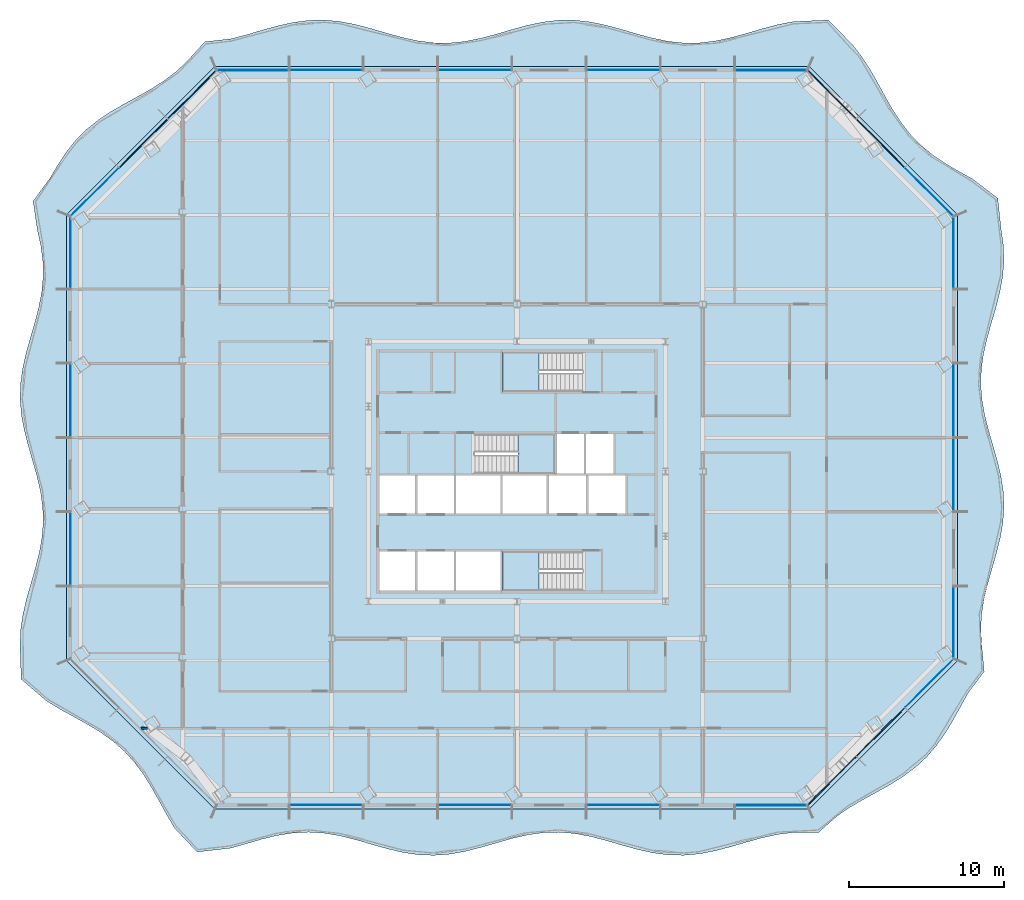
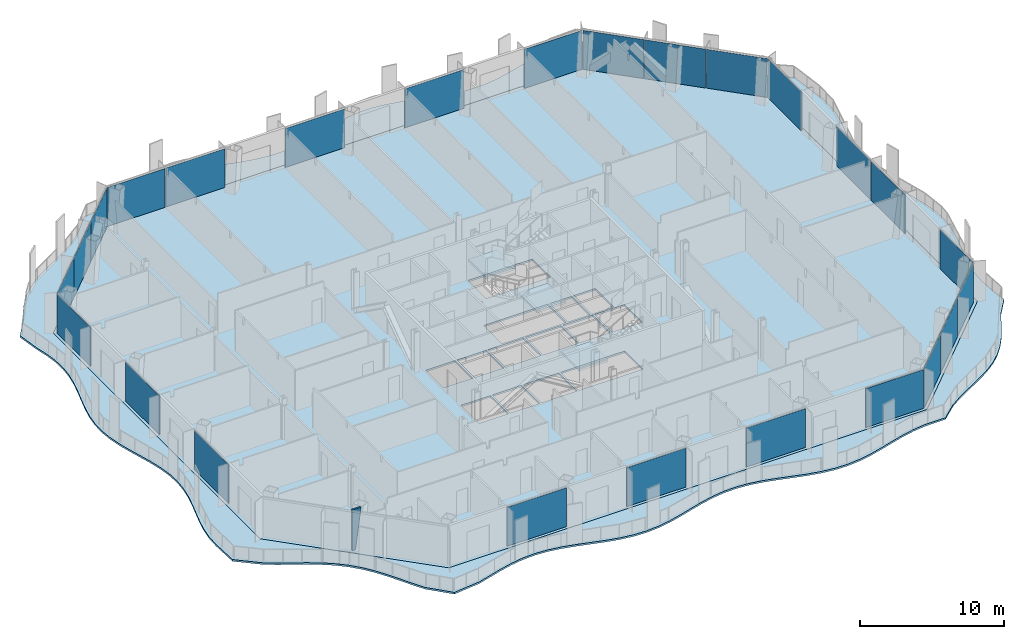
# One storey, part 6 of 22: 25 plates, 5 slabs, 1 wall, 10 elements without a shape of their own.
"""IFC4 building model written with IfcOpenShell, lengths in metres."""

from ifc_helpers import new_model, si_unit, direction, frame, origin, origin_2d, place, context, subcontext, project, spatial, polyline, rectangle, outline, extrude, material, layer, layer_set, type_object, element, aggregate, save


model = new_model("IFC4")

# Units and contexts
model_context = context("Model", 3, precision=1e-05, world=origin(), true_north=direction((0.0, 1.0)))
body_context = subcontext(model_context, "Body", "Model", "MODEL_VIEW")
ifc_project = project(units=[si_unit("LENGTHUNIT", "METRE"), si_unit("AREAUNIT", "SQUARE_METRE"), si_unit("VOLUMEUNIT", "CUBIC_METRE"), si_unit("PLANEANGLEUNIT", "RADIAN"), si_unit("MASSUNIT", "GRAM", prefix="KILO")], contexts=[model_context])

# Site, building, storey
site_placement = place(None, origin())
site = spatial("IfcSite", under=ifc_project, at=site_placement, CompositionType="ELEMENT")
building_placement = place(site_placement, origin())
building = spatial("IfcBuilding", under=site, at=building_placement, Name="Cairn Pilgrim Tower", CompositionType="ELEMENT")
storey_placement = place(building_placement, frame((0.0, 0.0, 112.199951171875)))
storey = spatial("IfcBuildingStorey", under=building, at=storey_placement, Name="L27", CompositionType="ELEMENT", Elevation=112.199951171875)

# Slabs
ifc_material_1 = material(Name="Concrete C35/45", Category="concrete")
ifc_layer_1 = layer(ifc_material_1, 0.14990234375)
ifc_layer_set_1 = layer_set([ifc_layer_1], Name="BALCONY SLAB 150 CONCRETE C35/45")
slab_type_1 = type_object("IfcSlabType", Name="BALCONY SLAB 150 CONCRETE C35/45", PredefinedType="FLOOR", material=ifc_layer_set_1)
slab_1_placement = place(storey_placement, frame((0.0, 0.0, -0.14990234375)))
element("IfcSlab", 1, at=slab_1_placement, inside=storey, type_object=slab_type_1, Name="Balcony slab BS-1", PredefinedType="FLOOR", context=body_context, shape_type="SweptSolid", body=[
    extrude(outline(polyline([(-14.931396484375, -20.653076171875), (-13.47216796875, -22.194091796875), (-11.31005859375, -21.94775390625), (-10.29931640625, -21.657470703125), (-9.288818359375, -21.3681640625), (-8.2783203125, -21.12451171875), (-7.267822265625, -20.965087890625), (-6.25732421875, -20.913818359375), (-5.246826171875, -20.979248046875), (-4.236328125, -21.151123046875), (-3.225830078125, -21.402587890625), (-2.21533203125, -21.694580078125), (-1.20458984375, -21.98193359375), (-0.194091796875, -22.2197265625), (0.81640625, -22.37109375), (1.826904296875, -22.412353515625), (2.83740234375, -22.33740234375), (3.847900390625, -22.15771484375), (4.8583984375, -21.9013671875), (5.868896484375, -21.60791015625), (6.87939453125, -21.3232421875), (7.89013671875, -21.09130859375), (8.900634765625, -20.948486328125), (9.9111328125, -20.916748046875), (10.921630859375, -21.001220703125), (11.93212890625, -21.1884765625), (12.942626953125, -21.44970703125), (13.953125, -21.744140625), (14.963623046875, -22.026123046875), (15.974365234375, -22.251708984375), (16.98486328125, -22.385986328125), (17.995361328125, -22.407958984375), (19.005859375, -22.314208984375), (20.016357421875, -22.119384765625), (21.02685546875, -21.853759765625), (22.037353515625, -21.55859375), (23.0478515625, -21.27978515625), (24.058349609375, -21.060546875), (25.069091796875, -20.93505859375), (26.70458984375, -20.9228515625), (27.90087890625, -19.863525390625), (28.72021484375, -19.311279296875), (29.58544921875, -18.805419921875), (30.471435546875, -18.31982421875), (31.348876953125, -17.825927734375), (32.1904296875, -17.296142578125), (32.97412109375, -16.708251953125), (33.685546875, -16.04833984375), (34.321044921875, -15.3125), (34.887939453125, -14.5078125), (35.4033203125, -13.65185546875), (35.891357421875, -12.768310546875), (36.380615234375, -11.88623046875), (37.404052734375, -10.528076171875), (37.239990234375, -8.820556640625), (37.1796875, -7.827392578125), (37.231689453125, -6.834228515625), (37.388671875, -5.84130859375), (37.626708984375, -4.84814453125), (37.910400390625, -3.85498046875), (38.19677734375, -2.86181640625), (38.443115234375, -1.868896484375), (38.6123046875, -0.875732421875), (38.678955078125, 0.117431640625), (38.633056640625, 1.110595703125), (38.4814453125, 2.103515625), (38.2470703125, 3.0966796875), (37.96484375, 4.08984375), (37.677490234375, 5.0830078125), (37.427734375, 6.075927734375), (37.25341796875, 7.069091796875), (37.1806640625, 8.062255859375), (37.220458984375, 9.055419921875), (37.36669921875, 10.04833984375), (37.597412109375, 11.04150390625), (37.8779296875, 12.03466796875), (38.166259765625, 13.02783203125), (38.4189453125, 14.020751953125), (38.598388671875, 15.013916015625), (38.67724609375, 16.007080078125), (38.643798828125, 17.000244140625), (38.5029296875, 17.9931640625), (38.276123046875, 20.06201171875), (36.637451171875, 21.31591796875), (35.751953125, 21.801513671875), (34.887451171875, 22.30859375), (34.069580078125, 22.862060546875), (33.3173828125, 23.481201171875), (32.640380859375, 24.17578125), (32.037109375, 24.944091796875), (31.49609375, 25.7744140625), (30.99658203125, 26.646240234375), (30.511474609375, 27.53271484375), (30.012451171875, 28.405029296875), (29.47265625, 29.236572265625), (28.87109375, 30.00634765625), (27.319091796875, 31.5791015625), (25.069091796875, 31.4814453125), (24.058349609375, 31.283447265625), (23.0478515625, 31.015869140625), (22.037353515625, 30.720458984375), (21.02685546875, 30.443115234375), (20.016357421875, 30.226806640625), (19.005859375, 30.105224609375), (17.995361328125, 30.097412109375), (16.98486328125, 30.204345703125), (15.974365234375, 30.409423828125), (14.963623046875, 30.680908203125), (13.953125, 30.9765625), (12.942626953125, 31.25048828125), (11.93212890625, 31.4599609375), (10.921630859375, 31.572509765625), (9.9111328125, 31.570556640625), (8.900634765625, 31.45458984375), (7.89013671875, 31.24267578125), (6.87939453125, 30.96728515625), (5.868896484375, 30.671630859375), (4.8583984375, 30.401611328125), (3.847900390625, 30.19921875), (2.83740234375, 30.095703125), (1.826904296875, 30.107421875), (0.81640625, 30.232421875), (-0.194091796875, 30.451171875), (-1.20458984375, 30.729736328125), (-2.21533203125, 31.025146484375), (-3.225830078125, 31.291015625), (-4.236328125, 31.486083984375), (-5.246826171875, 31.580322265625), (-6.25732421875, 31.55908203125), (-7.267822265625, 31.42529296875), (-8.2783203125, 31.199951171875), (-9.288818359375, 30.918212890625), (-10.29931640625, 30.623779296875), (-11.31005859375, 30.3623046875), (-12.978271484375, 30.174560546875), (-14.070068359375, 28.96435546875), (-14.77197265625, 28.295166015625), (-15.54736328125, 27.698974609375), (-16.3828125, 27.1630859375), (-17.25732421875, 26.666015625), (-18.143798828125, 26.18115234375), (-19.01318359375, 25.678955078125), (-19.83935546875, 25.1337890625), (-20.602294921875, 24.525146484375), (-21.290771484375, 23.84228515625), (-21.904296875, 23.08447265625), (-22.453369140625, 22.26220703125), (-22.957763671875, 21.39501953125), (-24.07373046875, 19.878173828125), (-23.79833984375, 17.9931640625), (-23.57861328125, 17.000244140625), (-23.447998046875, 16.007080078125), (-23.42578125, 15.013916015625), (-23.515380859375, 14.020751953125), (-23.703369140625, 13.02783203125), (-23.961669921875, 12.03466796875), (-24.2509765625, 11.04150390625), (-24.528564453125, 10.04833984375), (-24.752197265625, 9.055419921875), (-24.888427734375, 8.062255859375), (-24.9169921875, 7.069091796875), (-24.833251953125, 6.075927734375), (-24.650146484375, 5.0830078125), (-24.39501953125, 4.08984375), (-24.10595703125, 3.0966796875), (-23.826904296875, 2.103515625), (-23.59912109375, 1.110595703125), (-23.457275390625, 0.117431640625), (-23.422607421875, -0.875732421875), (-23.500244140625, -1.868896484375), (-23.678466796875, -2.86181640625), (-23.9306640625, -3.85498046875), (-24.21875, -4.84814453125), (-24.49951171875, -5.84130859375), (-24.731201171875, -6.834228515625), (-24.87841796875, -7.827392578125), (-24.91943359375, -8.820556640625), (-24.847900390625, -11.0263671875), (-23.185791015625, -12.450439453125), (-22.32958984375, -12.9658203125), (-21.4462890625, -13.453857421875), (-20.56396484375, -13.94287109375), (-19.711181640625, -14.46142578125), (-18.911376953125, -15.033203125), (-18.181396484375, -15.674560546875), (-17.52734375, -16.391845703125), (-16.944580078125, -17.1806640625), (-16.41845703125, -18.026123046875), (-15.92626953125, -18.9052734375), (-15.440185546875, -19.79052734375), (-14.931396484375, -20.653076171875)]), holes=[polyline([(26.07958984375, -19.41357421875), (-12.320556640625, -19.41357421875), (-21.92041015625, -9.813720703125), (-21.92041015625, 18.986328125), (-12.320556640625, 28.58642578125), (26.07958984375, 28.58642578125), (35.679443359375, 18.986328125), (35.679443359375, -9.813720703125), (26.07958984375, -19.41357421875)])]), origin(), (0.0, 0.0, 1.0), 0.14990234375),
])
ifc_layer_2 = layer(ifc_material_1, 0.14990234375)
ifc_layer_set_2 = layer_set([ifc_layer_2], Name="COMPOSITE FLOOR SLAB 150")
slab_type_2 = type_object("IfcSlabType", Name="COMPOSITE FLOOR SLAB 150", PredefinedType="FLOOR", material=ifc_layer_set_2)
slab_2_placement = place(storey_placement, frame((0.0, 0.0, -0.14990234375)))
element("IfcSlab", 2, at=slab_2_placement, inside=storey, type_object=slab_type_2, Name="FLOOR SLAB L27", PredefinedType="FLOOR", context=body_context, shape_type="SweptSolid", body=[
    extrude(outline(polyline([(-12.320556640625, -19.41357421875), (26.07958984375, -19.41357421875), (35.679443359375, -9.813720703125), (35.679443359375, 18.986328125), (26.07958984375, 28.58642578125), (-12.320556640625, 28.58642578125), (-21.92041015625, 18.986328125), (-21.92041015625, -9.813720703125), (-12.320556640625, -19.41357421875)]), holes=[polyline([(-1.72509765625, -5.300048828125), (0.625, -5.300048828125), (0.625, -2.77490234375), (-1.72509765625, -2.77490234375), (-1.72509765625, -5.300048828125)]), polyline([(0.77490234375, -5.300048828125), (3.125, -5.300048828125), (3.125, -2.77490234375), (0.77490234375, -2.77490234375), (0.77490234375, -5.300048828125)]), polyline([(-1.72509765625, -0.324951171875), (0.625, -0.324951171875), (0.625, 2.125), (-1.72509765625, 2.125), (-1.72509765625, -0.324951171875)]), polyline([(0.77490234375, -0.324951171875), (3.125, -0.324951171875), (3.125, 2.125), (0.77490234375, 2.125), (0.77490234375, -0.324951171875)]), polyline([(3.27490234375, -5.300048828125), (6.125, -5.300048828125), (6.125, -2.77490234375), (3.27490234375, -2.77490234375), (3.27490234375, -5.300048828125)]), polyline([(3.27490234375, -0.324951171875), (6.125, -0.324951171875), (6.125, 2.125), (3.27490234375, 2.125), (3.27490234375, -0.324951171875)]), polyline([(6.27490234375, -0.324951171875), (9.125, -0.324951171875), (9.125, 2.125), (6.27490234375, 2.125), (6.27490234375, -0.324951171875)]), polyline([(9.27490234375, -0.324951171875), (11.675048828125, -0.324951171875), (11.675048828125, 2.125), (9.27490234375, 2.125), (9.27490234375, -0.324951171875)]), polyline([(11.824951171875, -0.324951171875), (14.22509765625, -0.324951171875), (14.22509765625, 2.125), (11.824951171875, 2.125), (11.824951171875, -0.324951171875)]), polyline([(9.77490234375, 2.27490234375), (11.52490234375, 2.27490234375), (11.52490234375, 4.824951171875), (9.77490234375, 4.824951171875), (9.77490234375, 2.27490234375)]), polyline([(11.675048828125, 2.27490234375), (13.425048828125, 2.27490234375), (13.425048828125, 4.824951171875), (11.675048828125, 4.824951171875), (11.675048828125, 2.27490234375)]), polyline([(11.424560546875, -2.77490234375), (6.27490234375, -2.77490234375), (6.27490234375, -5.300048828125), (11.424560546875, -5.300048828125), (11.424560546875, -2.77490234375)]), polyline([(4.4755859375, 2.27490234375), (9.625, 2.27490234375), (9.625, 4.824951171875), (4.4755859375, 4.824951171875), (4.4755859375, 2.27490234375)]), polyline([(11.424560546875, 10.10009765625), (6.27490234375, 10.10009765625), (6.27490234375, 7.574951171875), (11.424560546875, 7.574951171875), (11.424560546875, 10.10009765625)])]), origin(), (0.0, 0.0, 1.0), 0.14990234375),
])

# Curtain wall, plate
ifc_material_2 = material(Name="Aluminium alloy 6063-T6 bronze anodised with Bronze tinted laminated low-E glass 8+16+8.8", Category="aluminium")
curtain_wall_type_1 = type_object("IfcCurtainWallType", Name="CHAMFER CORNER CURTAIN WALL", PredefinedType="NOTDEFINED", material=ifc_material_2)
curtain_wall_1_placement = place(storey_placement, origin())
curtain_wall_1 = element("IfcCurtainWall", 3, at=curtain_wall_1_placement, inside=storey, type_object=curtain_wall_type_1, Name="Chamfer Corner Curtain Wall SE", PredefinedType="NOTDEFINED")
ifc_material_3 = material(Name="Bronze anodised aluminium spandrel panel with mineral wool insulation", Category="aluminium")
ifc_layer_3 = layer(ifc_material_3, 0.06005859375)
ifc_layer_set_3 = layer_set([ifc_layer_3], Name="SPANDREL PANEL 4386x3300")
plate_type_1 = type_object("IfcPlateType", Name="SPANDREL PANEL 4386x3300", PredefinedType="CURTAIN_PANEL", material=ifc_layer_set_3)
plate_1_placement = place(storey_placement, frame((27.55517578125, -17.58447265625, 0.0), z_axis=(0.0, 0.0, 1.0), x_axis=(0.707106781187, 0.707106781187, 0.0)))
plate_1 = element("IfcPlate", 4, at=plate_1_placement, type_object=plate_type_1, Name="Spandrel Panel SE1-1", PredefinedType="CURTAIN_PANEL", context=body_context, shape_type="SweptSolid", body=[
    extrude(rectangle(XDim=4.386474609375, YDim=0.06005859375, at=origin_2d()), origin(), (0.0, 0.0, 1.0), 3.300048828125),
])

curtain_wall_2_placement = place(storey_placement, origin())
curtain_wall_2 = element("IfcCurtainWall", 5, at=curtain_wall_2_placement, inside=storey, type_object=curtain_wall_type_1, Name="Chamfer Corner Curtain Wall NE", PredefinedType="NOTDEFINED")
plate_2_placement = place(storey_placement, frame((27.55517578125, 26.75732421875, 0.0), z_axis=(0.0, 0.0, 1.0), x_axis=(-0.707106781187, 0.707106781187, 0.0)))
plate_2 = element("IfcPlate", 6, at=plate_2_placement, type_object=plate_type_1, Name="Spandrel Panel NE3-1", PredefinedType="CURTAIN_PANEL", context=body_context, shape_type="SweptSolid", body=[
    extrude(rectangle(XDim=4.386474609375, YDim=0.06005859375, at=origin_2d()), origin(), (0.0, 0.0, 1.0), 3.300048828125),
])

curtain_wall_3_placement = place(storey_placement, origin())
curtain_wall_3 = element("IfcCurtainWall", 7, at=curtain_wall_3_placement, inside=storey, type_object=curtain_wall_type_1, Name="Chamfer Corner Curtain Wall NW", PredefinedType="NOTDEFINED")
plate_3_placement = place(storey_placement, frame((-13.796142578125, 26.75732421875, 0.0), z_axis=(0.0, 0.0, 1.0), x_axis=(-0.707106781187, -0.707106781187, 0.0)))
plate_3 = element("IfcPlate", 8, at=plate_3_placement, type_object=plate_type_1, Name="Spandrel Panel NW1-1", PredefinedType="CURTAIN_PANEL", context=body_context, shape_type="SweptSolid", body=[
    extrude(rectangle(XDim=4.386474609375, YDim=0.06005859375, at=origin_2d()), origin(), (0.0, 0.0, 1.0), 3.300048828125),
])

# Plate
ifc_layer_4 = layer(ifc_material_3, 0.06005859375)
ifc_layer_set_4 = layer_set([ifc_layer_4], Name="SPANDREL PANEL 4396x3300")
plate_type_2 = type_object("IfcPlateType", Name="SPANDREL PANEL 4396x3300", PredefinedType="CURTAIN_PANEL", material=ifc_layer_set_4)
plate_4_placement = place(storey_placement, frame((30.70263671875, -14.436767578125, 0.0), z_axis=(0.0, 0.0, 1.0), x_axis=(0.707106781187, 0.707106781187, 0.0)))
plate_4 = element("IfcPlate", 9, at=plate_4_placement, type_object=plate_type_2, Name="Spandrel Panel SE2-1", PredefinedType="CURTAIN_PANEL", context=body_context, shape_type="SweptSolid", body=[
    extrude(rectangle(XDim=4.396484375, YDim=0.06005859375, at=origin_2d()), origin(), (0.0, 0.0, 1.0), 3.300048828125),
])

plate_5_placement = place(storey_placement, frame((30.70263671875, 23.609619140625, 0.0), z_axis=(0.0, 0.0, 1.0), x_axis=(-0.707106781187, 0.707106781187, 0.0)))
plate_5 = element("IfcPlate", 10, at=plate_5_placement, type_object=plate_type_2, Name="Spandrel Panel NE2-1", PredefinedType="CURTAIN_PANEL", context=body_context, shape_type="SweptSolid", body=[
    extrude(rectangle(XDim=4.396484375, YDim=0.06005859375, at=origin_2d()), origin(), (0.0, 0.0, 1.0), 3.300048828125),
])

plate_6_placement = place(storey_placement, frame((-16.943603515625, 23.609619140625, 0.0), z_axis=(0.0, 0.0, 1.0), x_axis=(-0.707106781187, -0.707106781187, 0.0)))
plate_6 = element("IfcPlate", 11, at=plate_6_placement, type_object=plate_type_2, Name="Spandrel Panel NW2-1", PredefinedType="CURTAIN_PANEL", context=body_context, shape_type="SweptSolid", body=[
    extrude(rectangle(XDim=4.396484375, YDim=0.06005859375, at=origin_2d()), origin(), (0.0, 0.0, 1.0), 3.300048828125),
])

# Curtain wall, plate
curtain_wall_type_2 = type_object("IfcCurtainWallType", Name="TOWER STICK CURTAIN WALL NS", PredefinedType="NOTDEFINED", material=ifc_material_2)
curtain_wall_4_placement = place(storey_placement, origin())
curtain_wall_4 = element("IfcCurtainWall", 12, at=curtain_wall_4_placement, inside=storey, type_object=curtain_wall_type_2, Name="Tower Stick Curtain Wall Ns S", PredefinedType="NOTDEFINED")
ifc_layer_5 = layer(ifc_material_3, 0.06005859375)
ifc_layer_set_5 = layer_set([ifc_layer_5], Name="SPANDREL PANEL 4626x3300")
plate_type_3 = type_object("IfcPlateType", Name="SPANDREL PANEL 4626x3300", PredefinedType="CURTAIN_PANEL", material=ifc_layer_set_5)
plate_7_placement = place(storey_placement, frame((23.622802734375, -19.16357421875, 0.0), z_axis=(0.0, 0.0, 1.0), x_axis=(1.0, 0.0, 0.0)))
plate_7 = element("IfcPlate", 13, at=plate_7_placement, type_object=plate_type_3, Name="Spandrel Panel S8-1", PredefinedType="CURTAIN_PANEL", context=body_context, shape_type="SweptSolid", body=[
    extrude(rectangle(XDim=4.62646484375, YDim=0.06005859375, at=origin_2d()), origin(), (0.0, 0.0, 1.0), 3.300048828125),
])

# Curtain wall, plates
curtain_wall_5_placement = place(storey_placement, origin())
curtain_wall_5 = element("IfcCurtainWall", 14, at=curtain_wall_5_placement, inside=storey, type_object=curtain_wall_type_2, Name="Tower Stick Curtain Wall Ns N", PredefinedType="NOTDEFINED")
plate_8_placement = place(storey_placement, frame((23.622802734375, 28.33642578125, 0.0), z_axis=(0.0, 0.0, 1.0), x_axis=(-1.0, 0.0, 0.0)))
plate_8 = element("IfcPlate", 15, at=plate_8_placement, type_object=plate_type_3, Name="Spandrel Panel N1-1", PredefinedType="CURTAIN_PANEL", context=body_context, shape_type="SweptSolid", body=[
    extrude(rectangle(XDim=4.62646484375, YDim=0.06005859375, at=origin_2d()), origin(), (0.0, 0.0, 1.0), 3.300048828125),
])
plate_9_placement = place(storey_placement, frame((-9.86376953125, 28.33642578125, 0.0), z_axis=(0.0, 0.0, 1.0), x_axis=(-1.0, 0.0, 0.0)))
plate_9 = element("IfcPlate", 16, at=plate_9_placement, type_object=plate_type_3, Name="Spandrel Panel N8-1", PredefinedType="CURTAIN_PANEL", context=body_context, shape_type="SweptSolid", body=[
    extrude(rectangle(XDim=4.62646484375, YDim=0.06005859375, at=origin_2d()), origin(), (0.0, 0.0, 1.0), 3.300048828125),
])

# Stair, slab
ifc_material_4 = material(Name="Concrete C32/40", Category="concrete")
stair_type = type_object("IfcStairType", Name="EXIT STAIR 1200", PredefinedType="HALF_TURN_STAIR", material=ifc_material_4)
stair_1_placement = place(storey_placement, origin())
stair_1 = element("IfcStair", 17, at=stair_1_placement, inside=storey, type_object=stair_type, Name="L27 Exit Stair A", PredefinedType="HALF_TURN_STAIR")
ifc_layer_6 = layer(ifc_material_4, 0.199951171875)
ifc_layer_set_6 = layer_set([ifc_layer_6], Name="STAIR LANDING 200")
slab_type_3 = type_object("IfcSlabType", Name="STAIR LANDING 200", PredefinedType="LANDING", material=ifc_layer_set_6)
slab_3_placement = place(storey_placement, frame((0.0, 0.0, 1.60009765625)))
slab_3 = element("IfcSlab", 18, at=slab_3_placement, type_object=slab_type_3, Name="ST-A landing 1", PredefinedType="LANDING", context=body_context, shape_type="SweptSolid", body=[
    extrude(outline(polyline([(8.625, -2.77490234375), (6.27490234375, -2.77490234375), (6.27490234375, -5.300048828125), (8.625, -5.300048828125), (8.625, -2.77490234375)])), origin(), (0.0, 0.0, 1.0), 0.199951171875),
])
aggregate(stair_1, [slab_3])

stair_2_placement = place(storey_placement, origin())
stair_2 = element("IfcStair", 19, at=stair_2_placement, inside=storey, type_object=stair_type, Name="L27 Exit Stair B", PredefinedType="HALF_TURN_STAIR")
slab_4_placement = place(storey_placement, frame((0.0, 0.0, 1.60009765625)))
slab_4 = element("IfcSlab", 20, at=slab_4_placement, type_object=slab_type_3, Name="ST-B landing 1", PredefinedType="LANDING", context=body_context, shape_type="SweptSolid", body=[
    extrude(outline(polyline([(7.27490234375, 2.27490234375), (9.625, 2.27490234375), (9.625, 4.824951171875), (7.27490234375, 4.824951171875), (7.27490234375, 2.27490234375)])), origin(), (0.0, 0.0, 1.0), 0.199951171875),
])
aggregate(stair_2, [slab_4])

stair_3_placement = place(storey_placement, origin())
stair_3 = element("IfcStair", 21, at=stair_3_placement, inside=storey, type_object=stair_type, Name="L27 Exit Stair C", PredefinedType="HALF_TURN_STAIR")
slab_5_placement = place(storey_placement, frame((0.0, 0.0, 1.60009765625)))
slab_5 = element("IfcSlab", 22, at=slab_5_placement, type_object=slab_type_3, Name="ST-C landing 1", PredefinedType="LANDING", context=body_context, shape_type="SweptSolid", body=[
    extrude(outline(polyline([(8.625, 10.10009765625), (6.27490234375, 10.10009765625), (6.27490234375, 7.574951171875), (8.625, 7.574951171875), (8.625, 10.10009765625)])), origin(), (0.0, 0.0, 1.0), 0.199951171875),
])
aggregate(stair_3, [slab_5])

# Plate
ifc_material_5 = material(Name="Bronze tinted laminated low-E glass 8+16+8.8", Category="glass")
ifc_layer_7 = layer(ifc_material_5, 0.033935546875)
ifc_layer_set_7 = layer_set([ifc_layer_7], Name="VISION GLAZING 4386x3300")
plate_type_4 = type_object("IfcPlateType", Name="VISION GLAZING 4386x3300", PredefinedType="CURTAIN_PANEL", material=ifc_layer_set_7)
plate_10_placement = place(storey_placement, frame((33.850341796875, -11.289306640625, 0.0), z_axis=(0.0, 0.0, 1.0), x_axis=(0.707106781187, 0.707106781187, 0.0)))
plate_10 = element("IfcPlate", 23, at=plate_10_placement, type_object=plate_type_4, Name="Vision Glazing SE3-1", PredefinedType="CURTAIN_PANEL", context=body_context, shape_type="SweptSolid", body=[
    extrude(rectangle(XDim=4.386474609375, YDim=0.033935546875, at=origin_2d()), origin(), (0.0, 0.0, 1.0), 3.300048828125),
])

aggregate(curtain_wall_1, [plate_1, plate_4, plate_10])

plate_11_placement = place(storey_placement, frame((33.850341796875, 20.4619140625, 0.0), z_axis=(0.0, 0.0, 1.0), x_axis=(-0.707106781187, 0.707106781187, 0.0)))
plate_11 = element("IfcPlate", 24, at=plate_11_placement, type_object=plate_type_4, Name="Vision Glazing NE1-1", PredefinedType="CURTAIN_PANEL", context=body_context, shape_type="SweptSolid", body=[
    extrude(rectangle(XDim=4.386474609375, YDim=0.033935546875, at=origin_2d()), origin(), (0.0, 0.0, 1.0), 3.300048828125),
])

aggregate(curtain_wall_2, [plate_11, plate_5, plate_2])

plate_12_placement = place(storey_placement, frame((-20.09130859375, 20.4619140625, 0.0), z_axis=(0.0, 0.0, 1.0), x_axis=(-0.707106781187, -0.707106781187, 0.0)))
plate_12 = element("IfcPlate", 25, at=plate_12_placement, type_object=plate_type_4, Name="Vision Glazing NW3-1", PredefinedType="CURTAIN_PANEL", context=body_context, shape_type="SweptSolid", body=[
    extrude(rectangle(XDim=4.386474609375, YDim=0.033935546875, at=origin_2d()), origin(), (0.0, 0.0, 1.0), 3.300048828125),
])

aggregate(curtain_wall_3, [plate_3, plate_6, plate_12])

# Curtain wall, plates
curtain_wall_type_3 = type_object("IfcCurtainWallType", Name="TOWER STICK CURTAIN WALL EW", PredefinedType="NOTDEFINED", material=ifc_material_2)
curtain_wall_6_placement = place(storey_placement, origin())
curtain_wall_6 = element("IfcCurtainWall", 26, at=curtain_wall_6_placement, inside=storey, type_object=curtain_wall_type_3, Name="Tower Stick Curtain Wall Ew E", PredefinedType="NOTDEFINED")
ifc_layer_8 = layer(ifc_material_5, 0.033935546875)
ifc_layer_set_8 = layer_set([ifc_layer_8], Name="VISION GLAZING 4626x3300")
plate_type_5 = type_object("IfcPlateType", Name="VISION GLAZING 4626x3300", PredefinedType="CURTAIN_PANEL", material=ifc_layer_set_8)
plate_13_placement = place(storey_placement, frame((35.429443359375, -7.35693359375, 0.0), z_axis=(0.0, 0.0, 1.0), x_axis=(0.0, 1.0, 0.0)))
plate_13 = element("IfcPlate", 27, at=plate_13_placement, type_object=plate_type_5, Name="Vision Glazing E1-1", PredefinedType="CURTAIN_PANEL", context=body_context, shape_type="SweptSolid", body=[
    extrude(rectangle(XDim=4.62646484375, YDim=0.033935546875, at=origin_2d()), origin(), (0.0, 0.0, 1.0), 3.300048828125),
])
plate_14_placement = place(storey_placement, frame((35.429443359375, 16.529541015625, 0.0), z_axis=(0.0, 0.0, 1.0), x_axis=(0.0, 1.0, 0.0)))
plate_14 = element("IfcPlate", 28, at=plate_14_placement, type_object=plate_type_5, Name="Vision Glazing E6-1", PredefinedType="CURTAIN_PANEL", context=body_context, shape_type="SweptSolid", body=[
    extrude(rectangle(XDim=4.62646484375, YDim=0.033935546875, at=origin_2d()), origin(), (0.0, 0.0, 1.0), 3.300048828125),
])

# Curtain wall, plate
curtain_wall_7_placement = place(storey_placement, origin())
curtain_wall_7 = element("IfcCurtainWall", 29, at=curtain_wall_7_placement, inside=storey, type_object=curtain_wall_type_3, Name="Tower Stick Curtain Wall Ew W", PredefinedType="NOTDEFINED")
plate_15_placement = place(storey_placement, frame((-21.67041015625, 16.529541015625, 0.0), z_axis=(0.0, 0.0, 1.0), x_axis=(0.0, -1.0, 0.0)))
plate_15 = element("IfcPlate", 30, at=plate_15_placement, type_object=plate_type_5, Name="Vision Glazing W1-1", PredefinedType="CURTAIN_PANEL", context=body_context, shape_type="SweptSolid", body=[
    extrude(rectangle(XDim=4.62646484375, YDim=0.033935546875, at=origin_2d()), origin(), (0.0, 0.0, 1.0), 3.300048828125),
])

# Plate
ifc_layer_9 = layer(ifc_material_5, 0.033935546875)
ifc_layer_set_9 = layer_set([ifc_layer_9], Name="VISION GLAZING 4740x3300")
plate_type_6 = type_object("IfcPlateType", Name="VISION GLAZING 4740x3300", PredefinedType="CURTAIN_PANEL", material=ifc_layer_set_9)
plate_16_placement = place(storey_placement, frame((-5.12060546875, -19.16357421875, 0.0), z_axis=(0.0, 0.0, 1.0), x_axis=(1.0, 0.0, 0.0)))
plate_16 = element("IfcPlate", 31, at=plate_16_placement, type_object=plate_type_6, Name="Vision Glazing S2-1", PredefinedType="CURTAIN_PANEL", context=body_context, shape_type="SweptSolid", body=[
    extrude(rectangle(XDim=4.739990234375, YDim=0.033935546875, at=origin_2d()), origin(), (0.0, 0.0, 1.0), 3.300048828125),
])

plate_17_placement = place(storey_placement, frame((4.4794921875, -19.16357421875, 0.0), z_axis=(0.0, 0.0, 1.0), x_axis=(1.0, 0.0, 0.0)))
plate_17 = element("IfcPlate", 32, at=plate_17_placement, type_object=plate_type_6, Name="Vision Glazing S4-1", PredefinedType="CURTAIN_PANEL", context=body_context, shape_type="SweptSolid", body=[
    extrude(rectangle(XDim=4.739990234375, YDim=0.033935546875, at=origin_2d()), origin(), (0.0, 0.0, 1.0), 3.300048828125),
])

plate_18_placement = place(storey_placement, frame((14.07958984375, -19.16357421875, 0.0), z_axis=(0.0, 0.0, 1.0), x_axis=(1.0, 0.0, 0.0)))
plate_18 = element("IfcPlate", 33, at=plate_18_placement, type_object=plate_type_6, Name="Vision Glazing S6-1", PredefinedType="CURTAIN_PANEL", context=body_context, shape_type="SweptSolid", body=[
    extrude(rectangle(XDim=4.739990234375, YDim=0.033935546875, at=origin_2d()), origin(), (0.0, 0.0, 1.0), 3.300048828125),
])

aggregate(curtain_wall_4, [plate_16, plate_17, plate_18, plate_7])

plate_19_placement = place(storey_placement, frame((35.429443359375, 2.186279296875, 0.0), z_axis=(0.0, 0.0, 1.0), x_axis=(0.0, 1.0, 0.0)))
plate_19 = element("IfcPlate", 34, at=plate_19_placement, type_object=plate_type_6, Name="Vision Glazing E3-1", PredefinedType="CURTAIN_PANEL", context=body_context, shape_type="SweptSolid", body=[
    extrude(rectangle(XDim=4.739990234375, YDim=0.033935546875, at=origin_2d()), origin(), (0.0, 0.0, 1.0), 3.300048828125),
])

plate_20_placement = place(storey_placement, frame((35.429443359375, 6.986328125, 0.0), z_axis=(0.0, 0.0, 1.0), x_axis=(0.0, 1.0, 0.0)))
plate_20 = element("IfcPlate", 35, at=plate_20_placement, type_object=plate_type_6, Name="Vision Glazing E4-1", PredefinedType="CURTAIN_PANEL", context=body_context, shape_type="SweptSolid", body=[
    extrude(rectangle(XDim=4.739990234375, YDim=0.033935546875, at=origin_2d()), origin(), (0.0, 0.0, 1.0), 3.300048828125),
])

aggregate(curtain_wall_6, [plate_13, plate_19, plate_20, plate_14])

plate_21_placement = place(storey_placement, frame((14.07958984375, 28.33642578125, 0.0), z_axis=(0.0, 0.0, 1.0), x_axis=(-1.0, 0.0, 0.0)))
plate_21 = element("IfcPlate", 36, at=plate_21_placement, type_object=plate_type_6, Name="Vision Glazing N3-1", PredefinedType="CURTAIN_PANEL", context=body_context, shape_type="SweptSolid", body=[
    extrude(rectangle(XDim=4.739990234375, YDim=0.033935546875, at=origin_2d()), origin(), (0.0, 0.0, 1.0), 3.300048828125),
])

plate_22_placement = place(storey_placement, frame((4.4794921875, 28.33642578125, 0.0), z_axis=(0.0, 0.0, 1.0), x_axis=(-1.0, 0.0, 0.0)))
plate_22 = element("IfcPlate", 37, at=plate_22_placement, type_object=plate_type_6, Name="Vision Glazing N5-1", PredefinedType="CURTAIN_PANEL", context=body_context, shape_type="SweptSolid", body=[
    extrude(rectangle(XDim=4.739990234375, YDim=0.033935546875, at=origin_2d()), origin(), (0.0, 0.0, 1.0), 3.300048828125),
])

plate_23_placement = place(storey_placement, frame((-5.12060546875, 28.33642578125, 0.0), z_axis=(0.0, 0.0, 1.0), x_axis=(-1.0, 0.0, 0.0)))
plate_23 = element("IfcPlate", 38, at=plate_23_placement, type_object=plate_type_6, Name="Vision Glazing N7-1", PredefinedType="CURTAIN_PANEL", context=body_context, shape_type="SweptSolid", body=[
    extrude(rectangle(XDim=4.739990234375, YDim=0.033935546875, at=origin_2d()), origin(), (0.0, 0.0, 1.0), 3.300048828125),
])

aggregate(curtain_wall_5, [plate_8, plate_21, plate_22, plate_23, plate_9])

plate_24_placement = place(storey_placement, frame((-21.67041015625, 6.986328125, 0.0), z_axis=(0.0, 0.0, 1.0), x_axis=(0.0, -1.0, 0.0)))
plate_24 = element("IfcPlate", 39, at=plate_24_placement, type_object=plate_type_6, Name="Vision Glazing W3-1", PredefinedType="CURTAIN_PANEL", context=body_context, shape_type="SweptSolid", body=[
    extrude(rectangle(XDim=4.739990234375, YDim=0.033935546875, at=origin_2d()), origin(), (0.0, 0.0, 1.0), 3.300048828125),
])

plate_25_placement = place(storey_placement, frame((-21.67041015625, -2.61376953125, 0.0), z_axis=(0.0, 0.0, 1.0), x_axis=(0.0, -1.0, 0.0)))
plate_25 = element("IfcPlate", 40, at=plate_25_placement, type_object=plate_type_6, Name="Vision Glazing W5-1", PredefinedType="CURTAIN_PANEL", context=body_context, shape_type="SweptSolid", body=[
    extrude(rectangle(XDim=4.739990234375, YDim=0.033935546875, at=origin_2d()), origin(), (0.0, 0.0, 1.0), 3.300048828125),
])

aggregate(curtain_wall_7, [plate_15, plate_24, plate_25])

# Wall
ifc_material_6 = material(Name="Gypsum partition")
ifc_layer_10 = layer(ifc_material_6, 0.125)
ifc_layer_set_10 = layer_set([ifc_layer_10], Name="PARTITION 125 DRYWALL EI 60")
wall_type = type_object("IfcWallType", Name="PARTITION 125 DRYWALL EI 60", PredefinedType="PARTITIONING", material=ifc_layer_set_10)
wall_placement = place(storey_placement, frame((-17.07275390625, -14.199951171875, 0.0), z_axis=(0.0, 0.0, 1.0), x_axis=(1.0, 0.0, 0.0)))
element("IfcWall", 41, at=wall_placement, inside=storey, type_object=wall_type, Name="PARTITION W014", PredefinedType="PARTITIONING", context=body_context, shape_type="SweptSolid", body=[
    extrude(outline(polyline([(0.0, 0.0), (0.231201171875, 0.0), (0.342041015625, 0.862548828125), (0.453125, 1.72509765625), (0.56396484375, 2.587646484375), (0.6748046875, 3.449951171875), (0.0, 3.449951171875), (0.0, 2.587646484375), (0.0, 1.72509765625), (0.0, 0.862548828125), (0.0, 0.0)])), frame((0.0, 0.0625, 0.0), z_axis=(0.0, -1.0, 0.0), x_axis=(1.0, 0.0, 0.0)), (0.0, 0.0, 1.0), 0.125),
])

save(model, "model.ifc")
